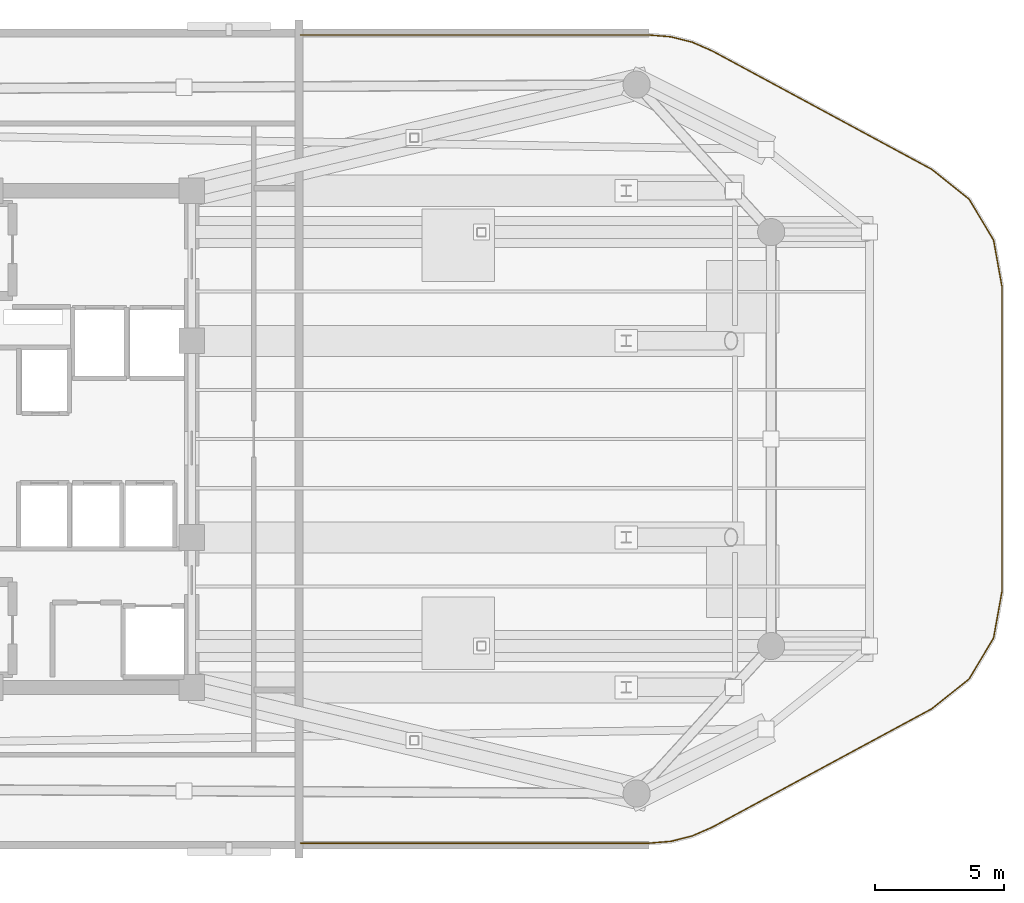
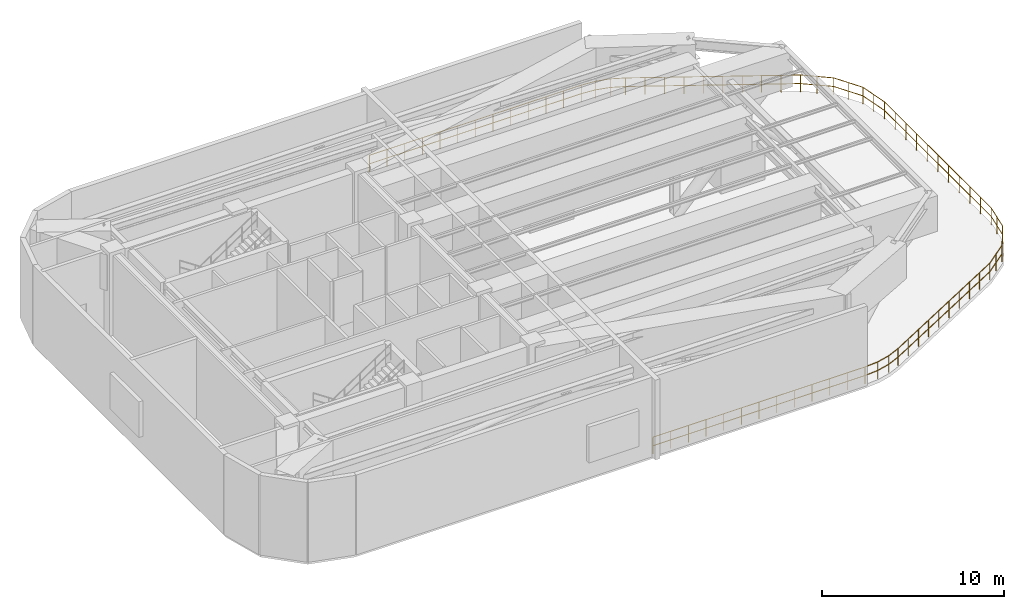
# One storey, part 6 of 6: 1 railing.
"""IFC4 building model written with IfcOpenShell, lengths in metres."""

from ifc_helpers import new_model, si_unit, direction, frame, origin, origin_2d, place, context, subcontext, project, spatial, circle, extrude, material, type_object, element, save


model = new_model("IFC4")

# Units and contexts
model_context = context("Model", 3, precision=1e-05, world=origin(), true_north=direction((0.0, 1.0)))
body_context = subcontext(model_context, "Body", "Model", "MODEL_VIEW")
ifc_project = project(units=[si_unit("LENGTHUNIT", "METRE"), si_unit("AREAUNIT", "SQUARE_METRE"), si_unit("VOLUMEUNIT", "CUBIC_METRE"), si_unit("PLANEANGLEUNIT", "RADIAN"), si_unit("MASSUNIT", "GRAM", prefix="KILO")], contexts=[model_context])

# Site, building, storey
site_placement = place(None, origin())
site = spatial("IfcSite", under=ifc_project, at=site_placement, CompositionType="ELEMENT")
building_placement = place(site_placement, origin())
building = spatial("IfcBuilding", under=site, at=building_placement, Name="An Khanh Terracotta Commons", CompositionType="ELEMENT")
storey_placement = place(building_placement, frame((0.0, 0.0, 248.10009765625)))
storey = spatial("IfcBuildingStorey", under=building, at=storey_placement, Name="L65", CompositionType="ELEMENT", Elevation=248.10009765625)

# Railing
ifc_material = material(Name="Brushed Stainless Steel 316", Category="steel")
railing_type = type_object("IfcRailingType", Name="RAIL-WINDSLOT-1150", PredefinedType="BALUSTRADE", material=ifc_material)
railing_placement = place(storey_placement, frame((41.39990234375, 8.37890625, 0.0)))
element("IfcRailing", 1, at=railing_placement, inside=storey, type_object=railing_type, Name="L65 Aerodynamic Wind-Turbine Portal Perimeter Guard", PredefinedType="BALUSTRADE", context=body_context, shape_type="SweptSolid", body=[
    extrude(circle(Radius=0.02392578125, at=origin_2d()), frame((0.0, 0.0, 1.1259765625), z_axis=(1.0, 0.0, 0.0), x_axis=(0.0, 1.0, 0.0)), (0.0, 0.0, 1.0), 13.47119140625),
    extrude(circle(Radius=0.02392578125, at=origin_2d()), frame((0.0, 0.0, 0.55078125), z_axis=(1.0, 0.0, 0.0), x_axis=(0.0, 1.0, 0.0)), (0.0, 0.0, 1.0), 13.47119140625),
    extrude(circle(Radius=0.02392578125, at=origin_2d()), frame((13.47119140625, 0.0, 1.1259765625), z_axis=(0.996618429089, 0.082168770224, 0.0), x_axis=(-0.082168770224, 0.996618429089, 0.0)), (0.0, 0.0, 1.0), 0.852783203125),
    extrude(circle(Radius=0.02392578125, at=origin_2d()), frame((13.47119140625, 0.0, 0.55078125), z_axis=(0.996618429089, 0.082168770224, 0.0), x_axis=(-0.082168770224, 0.996618429089, 0.0)), (0.0, 0.0, 1.0), 0.852783203125),
    extrude(circle(Radius=0.02392578125, at=origin_2d()), frame((14.321044921875, 0.070068359375, 1.1259765625), z_axis=(0.969533471327, 0.244958869969, 0.0), x_axis=(-0.244958869969, 0.969533471327, 0.0)), (0.0, 0.0, 1.0), 0.85302734375),
    extrude(circle(Radius=0.02392578125, at=origin_2d()), frame((14.321044921875, 0.070068359375, 0.55078125), z_axis=(0.969533471327, 0.244958869969, 0.0), x_axis=(-0.244958869969, 0.969533471327, 0.0)), (0.0, 0.0, 1.0), 0.85302734375),
    extrude(circle(Radius=0.02392578125, at=origin_2d()), frame((15.148193359375, 0.279052734375, 1.1259765625), z_axis=(0.916190156237, 0.40074380546, 0.0), x_axis=(-0.40074380546, 0.916190156237, 0.0)), (0.0, 0.0, 1.0), 0.853515625),
    extrude(circle(Radius=0.02392578125, at=origin_2d()), frame((15.148193359375, 0.279052734375, 0.55078125), z_axis=(0.916190156237, 0.40074380546, 0.0), x_axis=(-0.40074380546, 0.916190156237, 0.0)), (0.0, 0.0, 1.0), 0.853515625),
    extrude(circle(Radius=0.02392578125, at=origin_2d()), frame((15.93017578125, 0.62109375, 1.1259765625), z_axis=(0.880085887505, 0.474814522329, 0.0), x_axis=(-0.474814522329, 0.880085887505, 0.0)), (0.0, 0.0, 1.0), 9.63330078125),
    extrude(circle(Radius=0.02392578125, at=origin_2d()), frame((15.93017578125, 0.62109375, 0.55078125), z_axis=(0.880085887505, 0.474814522329, 0.0), x_axis=(-0.474814522329, 0.880085887505, 0.0)), (0.0, 0.0, 1.0), 9.63330078125),
    extrude(circle(Radius=0.02392578125, at=origin_2d()), frame((24.408203125, 5.195068359375, 1.1259765625), z_axis=(0.781654764518, 0.623711334758, 0.0), x_axis=(-0.623711334758, 0.781654764518, 0.0)), (0.0, 0.0, 1.0), 1.84716796875),
    extrude(circle(Radius=0.02392578125, at=origin_2d()), frame((24.408203125, 5.195068359375, 0.55078125), z_axis=(0.781654764518, 0.623711334758, 0.0), x_axis=(-0.623711334758, 0.781654764518, 0.0)), (0.0, 0.0, 1.0), 1.84716796875),
    extrude(circle(Radius=0.02392578125, at=origin_2d()), frame((25.85205078125, 6.34716796875, 1.1259765625), z_axis=(0.512372498857, 0.858763309891, 0.0), x_axis=(-0.858763309891, 0.512372498857, 0.0)), (0.0, 0.0, 1.0), 1.844482421875),
    extrude(circle(Radius=0.02392578125, at=origin_2d()), frame((25.85205078125, 6.34716796875, 0.55078125), z_axis=(0.512372498857, 0.858763309891, 0.0), x_axis=(-0.858763309891, 0.512372498857, 0.0)), (0.0, 0.0, 1.0), 1.844482421875),
    extrude(circle(Radius=0.02392578125, at=origin_2d()), frame((26.797119140625, 7.93115234375, 1.1259765625), z_axis=(0.177501201198, 0.984120583858, 0.0), x_axis=(-0.984120583858, 0.177501201198, 0.0)), (0.0, 0.0, 1.0), 1.84716796875),
    extrude(circle(Radius=0.02392578125, at=origin_2d()), frame((26.797119140625, 7.93115234375, 0.55078125), z_axis=(0.177501201198, 0.984120583858, 0.0), x_axis=(-0.984120583858, 0.177501201198, 0.0)), (0.0, 0.0, 1.0), 1.84716796875),
    extrude(circle(Radius=0.02392578125, at=origin_2d()), frame((27.125, 9.7490234375, 1.1259765625), z_axis=(0.0, 1.0, 0.0), x_axis=(-1.0, 0.0, 0.0)), (0.0, 0.0, 1.0), 11.744140625),
    extrude(circle(Radius=0.02392578125, at=origin_2d()), frame((27.125, 9.7490234375, 0.55078125), z_axis=(0.0, 1.0, 0.0), x_axis=(-1.0, 0.0, 0.0)), (0.0, 0.0, 1.0), 11.744140625),
    extrude(circle(Radius=0.02392578125, at=origin_2d()), frame((27.125, 21.4931640625, 1.1259765625), z_axis=(-0.177501201198, 0.984120583858, 0.0), x_axis=(-0.984120583858, -0.177501201198, 0.0)), (0.0, 0.0, 1.0), 1.84716796875),
    extrude(circle(Radius=0.02392578125, at=origin_2d()), frame((27.125, 21.4931640625, 0.55078125), z_axis=(-0.177501201198, 0.984120583858, 0.0), x_axis=(-0.984120583858, -0.177501201198, 0.0)), (0.0, 0.0, 1.0), 1.84716796875),
    extrude(circle(Radius=0.02392578125, at=origin_2d()), frame((26.797119140625, 23.31103515625, 1.1259765625), z_axis=(-0.512372498857, 0.858763309891, 0.0), x_axis=(-0.858763309891, -0.512372498857, 0.0)), (0.0, 0.0, 1.0), 1.844482421875),
    extrude(circle(Radius=0.02392578125, at=origin_2d()), frame((26.797119140625, 23.31103515625, 0.55078125), z_axis=(-0.512372498857, 0.858763309891, 0.0), x_axis=(-0.858763309891, -0.512372498857, 0.0)), (0.0, 0.0, 1.0), 1.844482421875),
    extrude(circle(Radius=0.02392578125, at=origin_2d()), frame((25.85205078125, 24.89501953125, 1.1259765625), z_axis=(-0.781654764518, 0.623711334758, 0.0), x_axis=(-0.623711334758, -0.781654764518, 0.0)), (0.0, 0.0, 1.0), 1.84716796875),
    extrude(circle(Radius=0.02392578125, at=origin_2d()), frame((25.85205078125, 24.89501953125, 0.55078125), z_axis=(-0.781654764518, 0.623711334758, 0.0), x_axis=(-0.623711334758, -0.781654764518, 0.0)), (0.0, 0.0, 1.0), 1.84716796875),
    extrude(circle(Radius=0.02392578125, at=origin_2d()), frame((24.408203125, 26.047119140625, 1.1259765625), z_axis=(-0.880085887505, 0.474814522329, 0.0), x_axis=(-0.474814522329, -0.880085887505, 0.0)), (0.0, 0.0, 1.0), 9.63330078125),
    extrude(circle(Radius=0.02392578125, at=origin_2d()), frame((24.408203125, 26.047119140625, 0.55078125), z_axis=(-0.880085887505, 0.474814522329, 0.0), x_axis=(-0.474814522329, -0.880085887505, 0.0)), (0.0, 0.0, 1.0), 9.63330078125),
    extrude(circle(Radius=0.02392578125, at=origin_2d()), frame((15.93017578125, 30.62109375, 1.1259765625), z_axis=(-0.916190156237, 0.40074380546, 0.0), x_axis=(-0.40074380546, -0.916190156237, 0.0)), (0.0, 0.0, 1.0), 0.853515625),
    extrude(circle(Radius=0.02392578125, at=origin_2d()), frame((15.93017578125, 30.62109375, 0.55078125), z_axis=(-0.916190156237, 0.40074380546, 0.0), x_axis=(-0.40074380546, -0.916190156237, 0.0)), (0.0, 0.0, 1.0), 0.853515625),
    extrude(circle(Radius=0.02392578125, at=origin_2d()), frame((15.148193359375, 30.963134765625, 1.1259765625), z_axis=(-0.969533471327, 0.244958869969, 0.0), x_axis=(-0.244958869969, -0.969533471327, 0.0)), (0.0, 0.0, 1.0), 0.85302734375),
    extrude(circle(Radius=0.02392578125, at=origin_2d()), frame((15.148193359375, 30.963134765625, 0.55078125), z_axis=(-0.969533471327, 0.244958869969, 0.0), x_axis=(-0.244958869969, -0.969533471327, 0.0)), (0.0, 0.0, 1.0), 0.85302734375),
    extrude(circle(Radius=0.02392578125, at=origin_2d()), frame((14.321044921875, 31.172119140625, 1.1259765625), z_axis=(-0.996618429089, 0.082168770224, 0.0), x_axis=(-0.082168770224, -0.996618429089, 0.0)), (0.0, 0.0, 1.0), 0.852783203125),
    extrude(circle(Radius=0.02392578125, at=origin_2d()), frame((14.321044921875, 31.172119140625, 0.55078125), z_axis=(-0.996618429089, 0.082168770224, 0.0), x_axis=(-0.082168770224, -0.996618429089, 0.0)), (0.0, 0.0, 1.0), 0.852783203125),
    extrude(circle(Radius=0.02392578125, at=origin_2d()), frame((13.47119140625, 31.2421875, 1.1259765625), z_axis=(-1.0, 0.0, 0.0), x_axis=(0.0, -1.0, 0.0)), (0.0, 0.0, 1.0), 13.47119140625),
    extrude(circle(Radius=0.02392578125, at=origin_2d()), frame((13.47119140625, 31.2421875, 0.55078125), z_axis=(-1.0, 0.0, 0.0), x_axis=(0.0, -1.0, 0.0)), (0.0, 0.0, 1.0), 13.47119140625),
    extrude(circle(Radius=0.02099609375, at=origin_2d()), origin(), (0.0, 0.0, 1.0), 1.101806640625),
    extrude(circle(Radius=0.02099609375, at=origin_2d()), frame((1.12255859375, 0.0, 0.0)), (0.0, 0.0, 1.0), 1.101806640625),
    extrude(circle(Radius=0.02099609375, at=origin_2d()), frame((2.2451171875, 0.0, 0.0)), (0.0, 0.0, 1.0), 1.101806640625),
    extrude(circle(Radius=0.02099609375, at=origin_2d()), frame((3.36767578125, 0.0, 0.0)), (0.0, 0.0, 1.0), 1.101806640625),
    extrude(circle(Radius=0.02099609375, at=origin_2d()), frame((4.490478515625, 0.0, 0.0)), (0.0, 0.0, 1.0), 1.101806640625),
    extrude(circle(Radius=0.02099609375, at=origin_2d()), frame((5.613037109375, 0.0, 0.0)), (0.0, 0.0, 1.0), 1.101806640625),
    extrude(circle(Radius=0.02099609375, at=origin_2d()), frame((6.735595703125, 0.0, 0.0)), (0.0, 0.0, 1.0), 1.101806640625),
    extrude(circle(Radius=0.02099609375, at=origin_2d()), frame((7.858154296875, 0.0, 0.0)), (0.0, 0.0, 1.0), 1.101806640625),
    extrude(circle(Radius=0.02099609375, at=origin_2d()), frame((8.980712890625, 0.0, 0.0)), (0.0, 0.0, 1.0), 1.101806640625),
    extrude(circle(Radius=0.02099609375, at=origin_2d()), frame((10.103515625, 0.0, 0.0)), (0.0, 0.0, 1.0), 1.101806640625),
    extrude(circle(Radius=0.02099609375, at=origin_2d()), frame((11.22607421875, 0.0, 0.0)), (0.0, 0.0, 1.0), 1.101806640625),
    extrude(circle(Radius=0.02099609375, at=origin_2d()), frame((12.3486328125, 0.0, 0.0)), (0.0, 0.0, 1.0), 1.101806640625),
    extrude(circle(Radius=0.02099609375, at=origin_2d()), frame((13.47119140625, 0.0, 0.0)), (0.0, 0.0, 1.0), 1.101806640625),
    extrude(circle(Radius=0.02099609375, at=origin_2d()), frame((14.321044921875, 0.070068359375, 0.0)), (0.0, 0.0, 1.0), 1.101806640625),
    extrude(circle(Radius=0.02099609375, at=origin_2d()), frame((15.148193359375, 0.279052734375, 0.0)), (0.0, 0.0, 1.0), 1.101806640625),
    extrude(circle(Radius=0.02099609375, at=origin_2d()), frame((15.93017578125, 0.62109375, 0.0)), (0.0, 0.0, 1.0), 1.101806640625),
    extrude(circle(Radius=0.02099609375, at=origin_2d()), frame((16.8720703125, 1.12939453125, 0.0)), (0.0, 0.0, 1.0), 1.101806640625),
    extrude(circle(Radius=0.02099609375, at=origin_2d()), frame((17.814208984375, 1.637451171875, 0.0)), (0.0, 0.0, 1.0), 1.101806640625),
    extrude(circle(Radius=0.02099609375, at=origin_2d()), frame((18.756103515625, 2.145751953125, 0.0)), (0.0, 0.0, 1.0), 1.101806640625),
    extrude(circle(Radius=0.02099609375, at=origin_2d()), frame((19.6982421875, 2.654052734375, 0.0)), (0.0, 0.0, 1.0), 1.101806640625),
    extrude(circle(Radius=0.02099609375, at=origin_2d()), frame((20.64013671875, 3.162109375, 0.0)), (0.0, 0.0, 1.0), 1.101806640625),
    extrude(circle(Radius=0.02099609375, at=origin_2d()), frame((21.582275390625, 3.67041015625, 0.0)), (0.0, 0.0, 1.0), 1.101806640625),
    extrude(circle(Radius=0.02099609375, at=origin_2d()), frame((22.524169921875, 4.1787109375, 0.0)), (0.0, 0.0, 1.0), 1.101806640625),
    extrude(circle(Radius=0.02099609375, at=origin_2d()), frame((23.46630859375, 4.686767578125, 0.0)), (0.0, 0.0, 1.0), 1.101806640625),
    extrude(circle(Radius=0.02099609375, at=origin_2d()), frame((24.408203125, 5.195068359375, 0.0)), (0.0, 0.0, 1.0), 1.101806640625),
    extrude(circle(Radius=0.02099609375, at=origin_2d()), frame((25.130126953125, 5.77099609375, 0.0)), (0.0, 0.0, 1.0), 1.101806640625),
    extrude(circle(Radius=0.02099609375, at=origin_2d()), frame((25.85205078125, 6.34716796875, 0.0)), (0.0, 0.0, 1.0), 1.101806640625),
    extrude(circle(Radius=0.02099609375, at=origin_2d()), frame((26.32470703125, 7.13916015625, 0.0)), (0.0, 0.0, 1.0), 1.101806640625),
    extrude(circle(Radius=0.02099609375, at=origin_2d()), frame((26.797119140625, 7.93115234375, 0.0)), (0.0, 0.0, 1.0), 1.101806640625),
    extrude(circle(Radius=0.02099609375, at=origin_2d()), frame((26.9609375, 8.840087890625, 0.0)), (0.0, 0.0, 1.0), 1.101806640625),
    extrude(circle(Radius=0.02099609375, at=origin_2d()), frame((27.125, 9.7490234375, 0.0)), (0.0, 0.0, 1.0), 1.101806640625),
    extrude(circle(Radius=0.02099609375, at=origin_2d()), frame((27.125, 10.92333984375, 0.0)), (0.0, 0.0, 1.0), 1.101806640625),
    extrude(circle(Radius=0.02099609375, at=origin_2d()), frame((27.125, 12.097900390625, 0.0)), (0.0, 0.0, 1.0), 1.101806640625),
    extrude(circle(Radius=0.02099609375, at=origin_2d()), frame((27.125, 13.272216796875, 0.0)), (0.0, 0.0, 1.0), 1.101806640625),
    extrude(circle(Radius=0.02099609375, at=origin_2d()), frame((27.125, 14.44677734375, 0.0)), (0.0, 0.0, 1.0), 1.101806640625),
    extrude(circle(Radius=0.02099609375, at=origin_2d()), frame((27.125, 15.62109375, 0.0)), (0.0, 0.0, 1.0), 1.101806640625),
    extrude(circle(Radius=0.02099609375, at=origin_2d()), frame((27.125, 16.79541015625, 0.0)), (0.0, 0.0, 1.0), 1.101806640625),
    extrude(circle(Radius=0.02099609375, at=origin_2d()), frame((27.125, 17.969970703125, 0.0)), (0.0, 0.0, 1.0), 1.101806640625),
    extrude(circle(Radius=0.02099609375, at=origin_2d()), frame((27.125, 19.144287109375, 0.0)), (0.0, 0.0, 1.0), 1.101806640625),
    extrude(circle(Radius=0.02099609375, at=origin_2d()), frame((27.125, 20.31884765625, 0.0)), (0.0, 0.0, 1.0), 1.101806640625),
    extrude(circle(Radius=0.02099609375, at=origin_2d()), frame((27.125, 21.4931640625, 0.0)), (0.0, 0.0, 1.0), 1.101806640625),
    extrude(circle(Radius=0.02099609375, at=origin_2d()), frame((26.9609375, 22.402099609375, 0.0)), (0.0, 0.0, 1.0), 1.101806640625),
    extrude(circle(Radius=0.02099609375, at=origin_2d()), frame((26.797119140625, 23.31103515625, 0.0)), (0.0, 0.0, 1.0), 1.101806640625),
    extrude(circle(Radius=0.02099609375, at=origin_2d()), frame((26.32470703125, 24.10302734375, 0.0)), (0.0, 0.0, 1.0), 1.101806640625),
    extrude(circle(Radius=0.02099609375, at=origin_2d()), frame((25.85205078125, 24.89501953125, 0.0)), (0.0, 0.0, 1.0), 1.101806640625),
    extrude(circle(Radius=0.02099609375, at=origin_2d()), frame((25.130126953125, 25.47119140625, 0.0)), (0.0, 0.0, 1.0), 1.101806640625),
    extrude(circle(Radius=0.02099609375, at=origin_2d()), frame((24.408203125, 26.047119140625, 0.0)), (0.0, 0.0, 1.0), 1.101806640625),
    extrude(circle(Radius=0.02099609375, at=origin_2d()), frame((23.46630859375, 26.555419921875, 0.0)), (0.0, 0.0, 1.0), 1.101806640625),
    extrude(circle(Radius=0.02099609375, at=origin_2d()), frame((22.524169921875, 27.0634765625, 0.0)), (0.0, 0.0, 1.0), 1.101806640625),
    extrude(circle(Radius=0.02099609375, at=origin_2d()), frame((21.582275390625, 27.57177734375, 0.0)), (0.0, 0.0, 1.0), 1.101806640625),
    extrude(circle(Radius=0.02099609375, at=origin_2d()), frame((20.64013671875, 28.080078125, 0.0)), (0.0, 0.0, 1.0), 1.101806640625),
    extrude(circle(Radius=0.02099609375, at=origin_2d()), frame((19.6982421875, 28.588134765625, 0.0)), (0.0, 0.0, 1.0), 1.101806640625),
    extrude(circle(Radius=0.02099609375, at=origin_2d()), frame((18.756103515625, 29.096435546875, 0.0)), (0.0, 0.0, 1.0), 1.101806640625),
    extrude(circle(Radius=0.02099609375, at=origin_2d()), frame((17.814208984375, 29.604736328125, 0.0)), (0.0, 0.0, 1.0), 1.101806640625),
    extrude(circle(Radius=0.02099609375, at=origin_2d()), frame((16.8720703125, 30.11279296875, 0.0)), (0.0, 0.0, 1.0), 1.101806640625),
    extrude(circle(Radius=0.02099609375, at=origin_2d()), frame((15.93017578125, 30.62109375, 0.0)), (0.0, 0.0, 1.0), 1.101806640625),
    extrude(circle(Radius=0.02099609375, at=origin_2d()), frame((15.148193359375, 30.963134765625, 0.0)), (0.0, 0.0, 1.0), 1.101806640625),
    extrude(circle(Radius=0.02099609375, at=origin_2d()), frame((14.321044921875, 31.172119140625, 0.0)), (0.0, 0.0, 1.0), 1.101806640625),
    extrude(circle(Radius=0.02099609375, at=origin_2d()), frame((13.47119140625, 31.2421875, 0.0)), (0.0, 0.0, 1.0), 1.101806640625),
    extrude(circle(Radius=0.02099609375, at=origin_2d()), frame((12.3486328125, 31.2421875, 0.0)), (0.0, 0.0, 1.0), 1.101806640625),
    extrude(circle(Radius=0.02099609375, at=origin_2d()), frame((11.22607421875, 31.2421875, 0.0)), (0.0, 0.0, 1.0), 1.101806640625),
    extrude(circle(Radius=0.02099609375, at=origin_2d()), frame((10.103515625, 31.2421875, 0.0)), (0.0, 0.0, 1.0), 1.101806640625),
    extrude(circle(Radius=0.02099609375, at=origin_2d()), frame((8.980712890625, 31.2421875, 0.0)), (0.0, 0.0, 1.0), 1.101806640625),
    extrude(circle(Radius=0.02099609375, at=origin_2d()), frame((7.858154296875, 31.2421875, 0.0)), (0.0, 0.0, 1.0), 1.101806640625),
    extrude(circle(Radius=0.02099609375, at=origin_2d()), frame((6.735595703125, 31.2421875, 0.0)), (0.0, 0.0, 1.0), 1.101806640625),
    extrude(circle(Radius=0.02099609375, at=origin_2d()), frame((5.613037109375, 31.2421875, 0.0)), (0.0, 0.0, 1.0), 1.101806640625),
    extrude(circle(Radius=0.02099609375, at=origin_2d()), frame((4.490478515625, 31.2421875, 0.0)), (0.0, 0.0, 1.0), 1.101806640625),
    extrude(circle(Radius=0.02099609375, at=origin_2d()), frame((3.36767578125, 31.2421875, 0.0)), (0.0, 0.0, 1.0), 1.101806640625),
    extrude(circle(Radius=0.02099609375, at=origin_2d()), frame((2.2451171875, 31.2421875, 0.0)), (0.0, 0.0, 1.0), 1.101806640625),
    extrude(circle(Radius=0.02099609375, at=origin_2d()), frame((1.12255859375, 31.2421875, 0.0)), (0.0, 0.0, 1.0), 1.101806640625),
    extrude(circle(Radius=0.02099609375, at=origin_2d()), frame((0.0, 31.2421875, 0.0)), (0.0, 0.0, 1.0), 1.101806640625),
])

save(model, "model.ifc")
